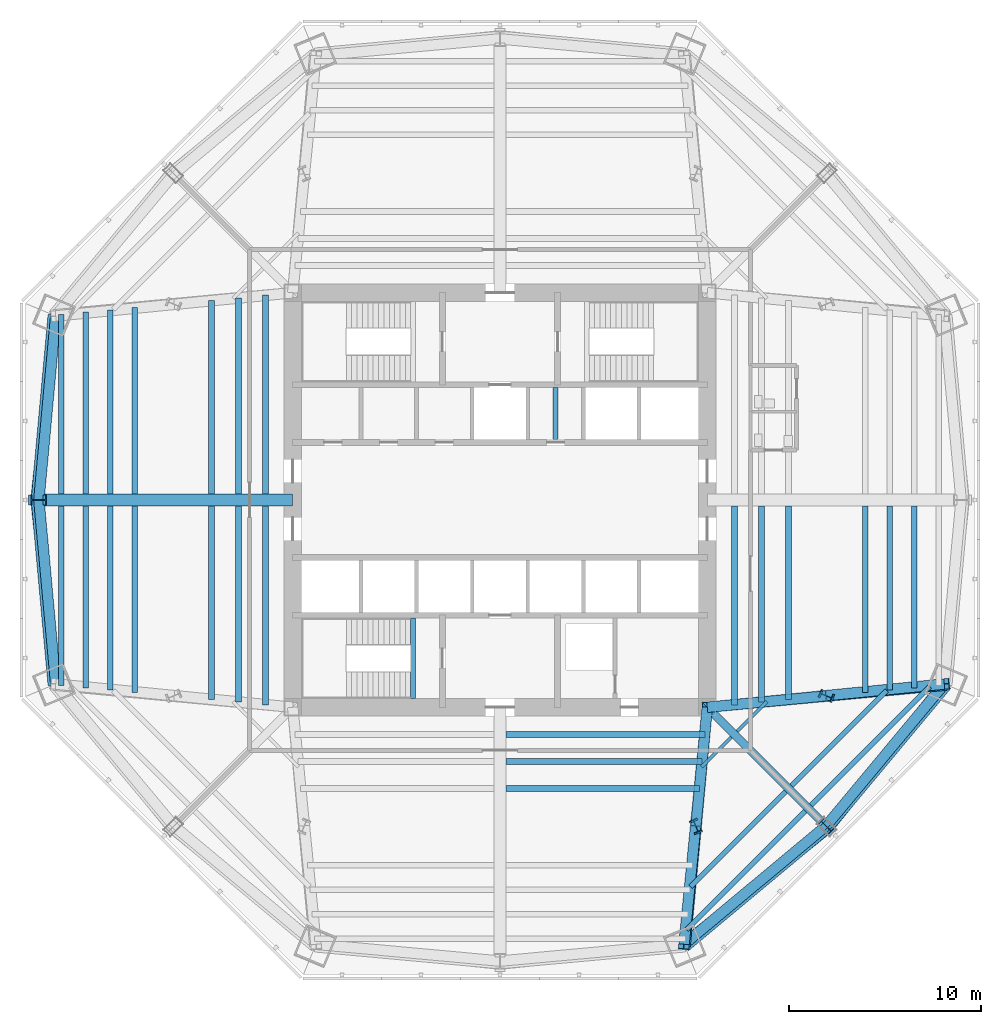
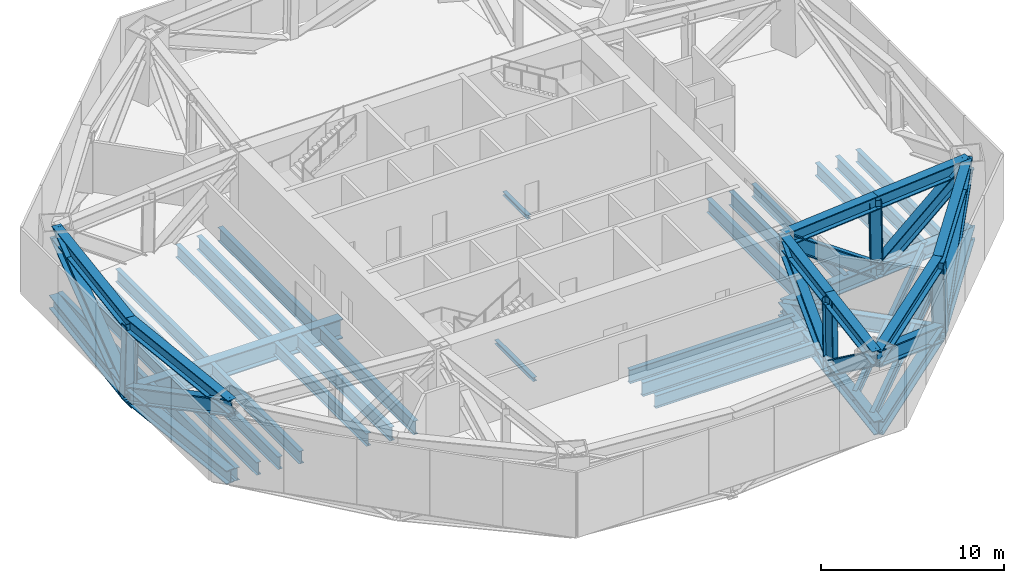
# One storey, part 2 of 10: 33 beams, 28 members.
"""IFC4 building model written with IfcOpenShell, lengths in metres."""

from ifc_helpers import new_model, si_unit, direction, frame, origin, origin_2d, place, context, subcontext, project, spatial, i_section, extrude, source, transform, mapped, material, material_profile, profile_set, type_object, type_shapes, element, save


model = new_model("IFC4")

# Units and contexts
model_context = context("Model", 3, precision=1e-05, world=origin(), true_north=direction((0.0, 1.0)))
body_context = subcontext(model_context, "Body", "Model", "MODEL_VIEW")
ifc_project = project(units=[si_unit("LENGTHUNIT", "METRE"), si_unit("AREAUNIT", "SQUARE_METRE"), si_unit("VOLUMEUNIT", "CUBIC_METRE"), si_unit("PLANEANGLEUNIT", "RADIAN"), si_unit("MASSUNIT", "GRAM", prefix="KILO")], contexts=[model_context])

# Site, building, storey
site_placement = place(None, origin())
site = spatial("IfcSite", under=ifc_project, at=site_placement, CompositionType="ELEMENT")
building_placement = place(site_placement, origin())
building = spatial("IfcBuilding", under=site, at=building_placement, Name="Mashrafa Tower", CompositionType="ELEMENT")
storey_placement = place(building_placement, frame((0.0, 0.0, 108.89990234375)))
storey = spatial("IfcBuildingStorey", under=building, at=storey_placement, Name="L24", CompositionType="ELEMENT", Elevation=108.89990234375)

# Beams
ifc_material_1 = material(Name="Steel ASTM A572 Gr 50", Category="steel")
ifc_material_profile_1 = material_profile(ifc_material_1, i_section(OverallWidth=0.60009765625, OverallDepth=1.300048828125, WebThickness=0.028076171875, FlangeThickness=0.06494140625, at=origin_2d()), Name="H1300X600X28X65")
ifc_profile_set_1 = profile_set([ifc_material_profile_1], Name="Steel ASTM A572 Gr 50")
beam_type_1 = type_object("IfcBeamType", Name="Beam H1300X600X28X65", PredefinedType="BEAM", material=ifc_profile_set_1)
beam_1_placement = place(storey_placement, frame((-10.800048828125, 0.0, -0.89990234375), z_axis=(-1.0, 0.0, 0.0), x_axis=(0.0, -1.0, 0.0)))
element("IfcBeam", 1, at=beam_1_placement, inside=storey, type_object=beam_type_1, Name="Radial girder L24 082", PredefinedType="BEAM", context=body_context, shape_type="SweptSolid", body=[
    extrude(i_section(OverallWidth=0.60009765625, OverallDepth=1.300048828125, WebThickness=0.028076171875, FlangeThickness=0.06494140625, at=origin_2d()), origin(), (0.0, 0.0, 1.0), 13.341064453125),
])
ifc_material_2 = material(Name="Steel ASTM A992", Category="steel")
ifc_material_profile_2 = material_profile(ifc_material_2, i_section(OverallWidth=0.164794921875, OverallDepth=0.309814453125, WebThickness=0.005859375, FlangeThickness=0.009765625, FilletRadius=0.007568359375, at=origin_2d()), Name="W12X26")
ifc_profile_set_2 = profile_set([ifc_material_profile_2], Name="Steel ASTM A992")
beam_type_2 = type_object("IfcBeamType", Name="Beam W12X26", PredefinedType="BEAM", material=ifc_profile_set_2)
for number, where, z_axis, x_axis, name in (
    (2, (12.065673828125, -12.35498046875, -0.40478515625), (-0.707051315306, -0.707162242717, 0.0), (0.707162242717, -0.707051315306, 0.0), "Floor beam L24 058"),
    (3, (13.911376953125, -10.509521484375, -0.40478515625), (-0.707162242717, -0.707051315306, 0.0), (0.707051315306, -0.707162242717, 0.0), "Floor beam L24 064"),
):
    element("IfcBeam", number, at=place(storey_placement, frame(where, z_axis=z_axis, x_axis=x_axis)), inside=storey, type_object=beam_type_2, Name=name, PredefinedType="BEAM", context=body_context, shape_type="SweptSolid", body=[
        extrude(i_section(OverallWidth=0.164794921875, OverallDepth=0.309814453125, WebThickness=0.005859375, FlangeThickness=0.009765625, FilletRadius=0.007568359375, at=origin_2d()), origin(), (0.0, 0.0, 1.0), 2.200927734375),
    ])
ifc_material_3 = material(Name="Steel ASTM A992", Category="steel")
ifc_material_profile_3 = material_profile(ifc_material_3, i_section(OverallWidth=0.25390625, OverallDepth=0.67822265625, WebThickness=0.01171875, FlangeThickness=0.016357421875, FilletRadius=0.01513671875, at=origin_2d()), Name="W27X84")
ifc_profile_set_3 = profile_set([ifc_material_profile_3], Name="Steel ASTM A992")
beam_type_3 = type_object("IfcBeamType", Name="Beam W27X84", PredefinedType="BEAM", material=ifc_profile_set_3)
for number, where, z_axis, x_axis, name in (
    (4, (14.89404296875, -15.183349609375, -0.589111328125), (-0.707106781187, -0.707106781187, 0.0), (0.707106781187, -0.707106781187, 0.0), "Floor beam L24 067"),
    (5, (20.15087890625, -9.926513671875, -0.589111328125), (-0.707106781187, -0.707106781187, 0.0), (0.707106781187, -0.707106781187, 0.0), "Floor beam L24 073"),
):
    element("IfcBeam", number, at=place(storey_placement, frame(where, z_axis=z_axis, x_axis=x_axis)), inside=storey, type_object=beam_type_3, Name=name, PredefinedType="BEAM", context=body_context, shape_type="SweptSolid", body=[
        extrude(i_section(OverallWidth=0.25390625, OverallDepth=0.67822265625, WebThickness=0.01171875, FlangeThickness=0.016357421875, FilletRadius=0.01513671875, at=origin_2d()), origin(), (0.0, 0.0, 1.0), 7.025146484375),
    ])
ifc_material_4 = material(Name="Steel ASTM A992", Category="steel")
ifc_material_profile_4 = material_profile(ifc_material_4, i_section(OverallWidth=0.2666015625, OverallDepth=0.761962890625, WebThickness=0.014404296875, FlangeThickness=0.021484375, FilletRadius=0.0166015625, at=origin_2d()), Name="W30X116")
ifc_profile_set_4 = profile_set([ifc_material_profile_4], Name="Steel ASTM A992")
beam_type_4 = type_object("IfcBeamType", Name="Beam W30X116", PredefinedType="BEAM", material=ifc_profile_set_4)
for number, where, z_axis, x_axis, name in (
    (6, (15.909912109375, -16.19921875, -0.630859375), (-0.707092842692, -0.707120719406, 0.0), (0.707120719406, -0.707092842692, 0.0), "Floor beam L24 069"),
    (7, (22.39208984375, -9.71728515625, -0.630859375), (-0.707120719406, -0.707092842692, 0.0), (0.707092842692, -0.707120719406, 0.0), "Floor beam L24 078"),
):
    element("IfcBeam", number, at=place(storey_placement, frame(where, z_axis=z_axis, x_axis=x_axis)), inside=storey, type_object=beam_type_4, Name=name, PredefinedType="BEAM", context=body_context, shape_type="SweptSolid", body=[
        extrude(i_section(OverallWidth=0.2666015625, OverallDepth=0.761962890625, WebThickness=0.014404296875, FlangeThickness=0.021484375, FilletRadius=0.0166015625, at=origin_2d()), origin(), (0.0, 0.0, 1.0), 8.7578125),
    ])
ifc_material_5 = material(Name="Steel ASTM A992", Category="steel")
ifc_material_profile_5 = material_profile(ifc_material_5, i_section(OverallWidth=0.2919921875, OverallDepth=0.8408203125, WebThickness=0.0146484375, FlangeThickness=0.021728515625, FilletRadius=0.017333984375, at=origin_2d()), Name="W33X130")
ifc_profile_set_5 = profile_set([ifc_material_profile_5], Name="Steel ASTM A992")
beam_type_5 = type_object("IfcBeamType", Name="Beam W33X130", PredefinedType="BEAM", material=ifc_profile_set_5)
for number, where, z_axis, x_axis, name in (
    (8, (-22.863525390625, -9.673095703125, -0.670166015625), (0.0, 1.0, 0.0), (-1.0, 0.0, 0.0), "Floor beam L24 001"),
    (9, (-22.863525390625, 0.300048828125, -0.670166015625), (0.0, 1.0, 0.0), (-1.0, 0.0, 0.0), "Floor beam L24 002"),
):
    element("IfcBeam", number, at=place(storey_placement, frame(where, z_axis=z_axis, x_axis=x_axis)), inside=storey, type_object=beam_type_5, Name=name, PredefinedType="BEAM", context=body_context, shape_type="SweptSolid", body=[
        extrude(i_section(OverallWidth=0.2919921875, OverallDepth=0.8408203125, WebThickness=0.0146484375, FlangeThickness=0.021728515625, FilletRadius=0.017333984375, at=origin_2d()), origin(), (0.0, 0.0, 1.0), 9.373046875),
    ])
for number, where, z_axis, x_axis, name in (
    (10, (-21.586181640625, -9.79248046875, -0.670166015625), (0.0, 1.0, 0.0), (-1.0, 0.0, 0.0), "Floor beam L24 004"),
    (11, (-21.586181640625, 0.300048828125, -0.670166015625), (0.0, 1.0, 0.0), (-1.0, 0.0, 0.0), "Floor beam L24 005"),
):
    element("IfcBeam", number, at=place(storey_placement, frame(where, z_axis=z_axis, x_axis=x_axis)), inside=storey, type_object=beam_type_5, Name=name, PredefinedType="BEAM", context=body_context, shape_type="SweptSolid", body=[
        extrude(i_section(OverallWidth=0.2919921875, OverallDepth=0.8408203125, WebThickness=0.0146484375, FlangeThickness=0.021728515625, FilletRadius=0.017333984375, at=origin_2d()), origin(), (0.0, 0.0, 1.0), 9.492431640625),
    ])
for number, where, z_axis, x_axis, name in (
    (12, (-20.30859375, -9.911865234375, -0.670166015625), (0.0, 1.0, 0.0), (-1.0, 0.0, 0.0), "Floor beam L24 006"),
    (13, (-20.30859375, 0.300048828125, -0.670166015625), (0.0, 1.0, 0.0), (-1.0, 0.0, 0.0), "Floor beam L24 007"),
    (14, (20.30859375, -0.300048828125, -0.670166015625), (0.0, -1.0, 0.0), (1.0, 0.0, 0.0), "Floor beam L24 074"),
):
    element("IfcBeam", number, at=place(storey_placement, frame(where, z_axis=z_axis, x_axis=x_axis)), inside=storey, type_object=beam_type_5, Name=name, PredefinedType="BEAM", context=body_context, shape_type="SweptSolid", body=[
        extrude(i_section(OverallWidth=0.2919921875, OverallDepth=0.8408203125, WebThickness=0.0146484375, FlangeThickness=0.021728515625, FilletRadius=0.017333984375, at=origin_2d()), origin(), (0.0, 0.0, 1.0), 9.61181640625),
    ])
beam_2_placement = place(storey_placement, frame((21.586181640625, -0.300048828125, -0.670166015625), z_axis=(0.0, -1.0, 0.0), x_axis=(1.0, 0.0, 0.0)))
element("IfcBeam", 15, at=beam_2_placement, inside=storey, type_object=beam_type_5, Name="Floor beam L24 076", PredefinedType="BEAM", context=body_context, shape_type="SweptSolid", body=[
    extrude(i_section(OverallWidth=0.2919921875, OverallDepth=0.8408203125, WebThickness=0.0146484375, FlangeThickness=0.021728515625, FilletRadius=0.017333984375, at=origin_2d()), origin(), (0.0, 0.0, 1.0), 9.492431640625),
])
ifc_material_6 = material(Name="Steel ASTM A992", Category="steel")
ifc_material_profile_6 = material_profile(ifc_material_6, i_section(OverallWidth=0.2919921875, OverallDepth=0.845703125, WebThickness=0.015380859375, FlangeThickness=0.0244140625, FilletRadius=0.017333984375, at=origin_2d()), Name="W33X141")
ifc_profile_set_6 = profile_set([ifc_material_profile_6], Name="Steel ASTM A992")
beam_type_6 = type_object("IfcBeamType", Name="Beam W33X141", PredefinedType="BEAM", material=ifc_profile_set_6)
for number, where, z_axis, x_axis, name in (
    (16, (-19.031005859375, -10.031005859375, -0.6728515625), (0.0, 1.0, 0.0), (-1.0, 0.0, 0.0), "Floor beam L24 009"),
    (17, (-19.031005859375, 0.300048828125, -0.6728515625), (0.0, 1.0, 0.0), (-1.0, 0.0, 0.0), "Floor beam L24 010"),
):
    element("IfcBeam", number, at=place(storey_placement, frame(where, z_axis=z_axis, x_axis=x_axis)), inside=storey, type_object=beam_type_6, Name=name, PredefinedType="BEAM", context=body_context, shape_type="SweptSolid", body=[
        extrude(i_section(OverallWidth=0.2919921875, OverallDepth=0.845703125, WebThickness=0.015380859375, FlangeThickness=0.0244140625, FilletRadius=0.017333984375, at=origin_2d()), origin(), (0.0, 0.0, 1.0), 9.73095703125),
    ])
for number, where, z_axis, x_axis, name in (
    (18, (-15.031005859375, -10.40478515625, -0.6728515625), (0.0, 1.0, 0.0), (-1.0, 0.0, 0.0), "Floor beam L24 015"),
    (19, (-15.031005859375, 0.300048828125, -0.6728515625), (0.0, 1.0, 0.0), (-1.0, 0.0, 0.0), "Floor beam L24 016"),
    (20, (10.40478515625, -15.031005859375, -0.6728515625), (-1.0, 0.0, 0.0), (0.0, -1.0, 0.0), "Floor beam L24 054"),
    (21, (15.031005859375, -0.300048828125, -0.6728515625), (0.0, -1.0, 0.0), (1.0, 0.0, 0.0), "Floor beam L24 065"),
):
    element("IfcBeam", number, at=place(storey_placement, frame(where, z_axis=z_axis, x_axis=x_axis)), inside=storey, type_object=beam_type_6, Name=name, PredefinedType="BEAM", context=body_context, shape_type="SweptSolid", body=[
        extrude(i_section(OverallWidth=0.2919921875, OverallDepth=0.845703125, WebThickness=0.015380859375, FlangeThickness=0.0244140625, FilletRadius=0.017333984375, at=origin_2d()), origin(), (0.0, 0.0, 1.0), 10.104736328125),
    ])
beam_3_placement = place(storey_placement, frame((19.031005859375, -0.300048828125, -0.6728515625), z_axis=(0.0, -1.0, 0.0), x_axis=(1.0, 0.0, 0.0)))
element("IfcBeam", 22, at=beam_3_placement, inside=storey, type_object=beam_type_6, Name="Floor beam L24 071", PredefinedType="BEAM", context=body_context, shape_type="SweptSolid", body=[
    extrude(i_section(OverallWidth=0.2919921875, OverallDepth=0.845703125, WebThickness=0.015380859375, FlangeThickness=0.0244140625, FilletRadius=0.017333984375, at=origin_2d()), origin(), (0.0, 0.0, 1.0), 9.73095703125),
])
ifc_material_7 = material(Name="Steel ASTM A992", Category="steel")
ifc_material_profile_7 = material_profile(ifc_material_7, i_section(OverallWidth=0.3046875, OverallDepth=0.911865234375, WebThickness=0.015869140625, FlangeThickness=0.02392578125, FilletRadius=0.01904296875, at=origin_2d()), Name="W36X150")
ifc_profile_set_7 = profile_set([ifc_material_profile_7], Name="Steel ASTM A992")
beam_type_7 = type_object("IfcBeamType", Name="Beam W36X150", PredefinedType="BEAM", material=ifc_profile_set_7)
for number, where, z_axis, x_axis, name in (
    (23, (-13.62060546875, -10.53662109375, -0.705810546875), (0.0, 1.0, 0.0), (-1.0, 0.0, 0.0), "Floor beam L24 018"),
    (24, (-13.62060546875, 0.300048828125, -0.705810546875), (0.0, 1.0, 0.0), (-1.0, 0.0, 0.0), "Floor beam L24 019"),
):
    element("IfcBeam", number, at=place(storey_placement, frame(where, z_axis=z_axis, x_axis=x_axis)), inside=storey, type_object=beam_type_7, Name=name, PredefinedType="BEAM", context=body_context, shape_type="SweptSolid", body=[
        extrude(i_section(OverallWidth=0.3046875, OverallDepth=0.911865234375, WebThickness=0.015869140625, FlangeThickness=0.02392578125, FilletRadius=0.01904296875, at=origin_2d()), origin(), (0.0, 0.0, 1.0), 10.236572265625),
    ])
for number, where, z_axis, x_axis, name in (
    (25, (-12.210205078125, -10.668212890625, -0.705810546875), (0.0, 1.0, 0.0), (-1.0, 0.0, 0.0), "Floor beam L24 021"),
    (26, (-12.210205078125, 0.300048828125, -0.705810546875), (0.0, 1.0, 0.0), (-1.0, 0.0, 0.0), "Floor beam L24 022"),
):
    element("IfcBeam", number, at=place(storey_placement, frame(where, z_axis=z_axis, x_axis=x_axis)), inside=storey, type_object=beam_type_7, Name=name, PredefinedType="BEAM", context=body_context, shape_type="SweptSolid", body=[
        extrude(i_section(OverallWidth=0.3046875, OverallDepth=0.911865234375, WebThickness=0.015869140625, FlangeThickness=0.02392578125, FilletRadius=0.01904296875, at=origin_2d()), origin(), (0.0, 0.0, 1.0), 10.3681640625),
    ])
beam_4_placement = place(storey_placement, frame((10.53662109375, -13.62060546875, -0.705810546875), z_axis=(-1.0, 0.0, 0.0), x_axis=(0.0, -1.0, 0.0)))
element("IfcBeam", 27, at=beam_4_placement, inside=storey, type_object=beam_type_7, Name="Floor beam L24 056", PredefinedType="BEAM", context=body_context, shape_type="SweptSolid", body=[
    extrude(i_section(OverallWidth=0.3046875, OverallDepth=0.911865234375, WebThickness=0.015869140625, FlangeThickness=0.02392578125, FilletRadius=0.01904296875, at=origin_2d()), origin(), (0.0, 0.0, 1.0), 10.236572265625),
])
for number, where, z_axis, x_axis, name in (
    (28, (10.668212890625, -12.210205078125, -0.705810546875), (-1.0, 0.0, 0.0), (0.0, -1.0, 0.0), "Floor beam L24 057"),
    (29, (12.210205078125, -0.300048828125, -0.705810546875), (0.0, -1.0, 0.0), (1.0, 0.0, 0.0), "Floor beam L24 059"),
):
    element("IfcBeam", number, at=place(storey_placement, frame(where, z_axis=z_axis, x_axis=x_axis)), inside=storey, type_object=beam_type_7, Name=name, PredefinedType="BEAM", context=body_context, shape_type="SweptSolid", body=[
        extrude(i_section(OverallWidth=0.3046875, OverallDepth=0.911865234375, WebThickness=0.015869140625, FlangeThickness=0.02392578125, FilletRadius=0.01904296875, at=origin_2d()), origin(), (0.0, 0.0, 1.0), 10.3681640625),
    ])
beam_5_placement = place(storey_placement, frame((13.62060546875, -0.300048828125, -0.705810546875), z_axis=(0.0, -1.0, 0.0), x_axis=(1.0, 0.0, 0.0)))
element("IfcBeam", 30, at=beam_5_placement, inside=storey, type_object=beam_type_7, Name="Floor beam L24 062", PredefinedType="BEAM", context=body_context, shape_type="SweptSolid", body=[
    extrude(i_section(OverallWidth=0.3046875, OverallDepth=0.911865234375, WebThickness=0.015869140625, FlangeThickness=0.02392578125, FilletRadius=0.01904296875, at=origin_2d()), origin(), (0.0, 0.0, 1.0), 10.236572265625),
])
ifc_material_8 = material(Name="Steel ASTM A992", Category="steel")
ifc_material_profile_8 = material_profile(ifc_material_8, i_section(OverallWidth=0.408935546875, OverallDepth=1.04150390625, WebThickness=0.031005859375, FlangeThickness=0.055908203125, FilletRadius=0.020263671875, at=origin_2d()), Name="W40X397")
ifc_profile_set_8 = profile_set([ifc_material_profile_8], Name="Steel ASTM A992")
beam_type_8 = type_object("IfcBeamType", Name="Beam W40X397", PredefinedType="BEAM", material=ifc_profile_set_8)
beam_6_placement = place(storey_placement, frame((10.800048828125, -10.800048828125, -0.7705078125), z_axis=(0.707106781187, -0.707106781187, 0.0), x_axis=(0.707106781187, 0.707106781187, 0.0)))
element("IfcBeam", 31, at=beam_6_placement, inside=storey, type_object=beam_type_8, Name="Radial girder L24 086", PredefinedType="BEAM", context=body_context, shape_type="SweptSolid", body=[
    extrude(i_section(OverallWidth=0.408935546875, OverallDepth=1.04150390625, WebThickness=0.031005859375, FlangeThickness=0.055908203125, FilletRadius=0.020263671875, at=origin_2d()), origin(), (0.0, 0.0, 1.0), 8.867431640625),
])
ifc_material_9 = material(Name="Steel ASTM A992", Category="steel")
ifc_material_profile_9 = material_profile(ifc_material_9, i_section(OverallWidth=0.25390625, OverallDepth=0.25390625, WebThickness=0.008544921875, FlangeThickness=0.01416015625, FilletRadius=0.010009765625, at=origin_2d()), Name="W10X49")
ifc_profile_set_9 = profile_set([ifc_material_profile_9], Name="Steel ASTM A992")
beam_type_9 = type_object("IfcBeamType", Name="Hoistway beam W10X49", PredefinedType="BEAM", material=ifc_profile_set_9)
beam_7_placement = place(storey_placement, frame((2.89990234375, 3.14990234375, -0.376953125), z_axis=(0.0, 1.0, 0.0), x_axis=(-1.0, 0.0, 0.0)))
element("IfcBeam", 32, at=beam_7_placement, inside=storey, type_object=beam_type_9, Name="Hoistway beam L24 06", PredefinedType="BEAM", context=body_context, shape_type="SweptSolid", body=[
    extrude(i_section(OverallWidth=0.25390625, OverallDepth=0.25390625, WebThickness=0.008544921875, FlangeThickness=0.01416015625, FilletRadius=0.010009765625, at=origin_2d()), origin(), (0.0, 0.0, 1.0), 2.7001953125),
])
beam_8_placement = place(storey_placement, frame((-4.530029296875, -10.35009765625, -0.376953125), z_axis=(0.0, 1.0, 0.0), x_axis=(-1.0, 0.0, 0.0)))
element("IfcBeam", 33, at=beam_8_placement, inside=storey, type_object=beam_type_9, Name="Stair S3 landing beam L24", PredefinedType="BEAM", context=body_context, shape_type="SweptSolid", body=[
    extrude(i_section(OverallWidth=0.25390625, OverallDepth=0.25390625, WebThickness=0.008544921875, FlangeThickness=0.01416015625, FilletRadius=0.010009765625, at=origin_2d()), origin(), (0.0, 0.0, 1.0), 4.2001953125),
])

# Members
ifc_material_10 = material(Name="Steel ASTM A572 Gr 50", Category="steel")
ifc_material_profile_10 = material_profile(ifc_material_10, i_section(OverallWidth=0.550048828125, OverallDepth=0.89990234375, WebThickness=0.034912109375, FlangeThickness=0.06005859375, at=origin_2d()), Name="H900X550X35X60")
ifc_profile_set_10 = profile_set([ifc_material_profile_10], Name="Steel ASTM A572 Gr 50")
member_type_1 = type_object("IfcMemberType", Name="Belt truss chord H900X550X35X60", PredefinedType="CHORD", material=ifc_profile_set_10)
shared_shape_1 = source(origin(), body_context, "Body", "SweptSolid", [
    extrude(i_section(OverallWidth=0.550048828125, OverallDepth=0.89990234375, WebThickness=0.034912109375, FlangeThickness=0.06005859375, at=origin_2d()), origin(), (0.0, 0.0, 1.0), 9.680908203125),
])
for number, where, z_axis, x_axis, name in (
    (34, (-23.275634765625, 9.64111328125, -0.699951171875), (-0.090710826953, -0.995877274504, 0.0), (0.995877274504, -0.090710826953, 0.0), "Belt truss bottom chord west face L24 right"),
    (35, (-23.275634765625, -9.64111328125, -0.699951171875), (-0.090710826953, 0.995877274504, 0.0), (-0.995877274504, -0.090710826953, 0.0), "Belt truss bottom chord west face L24 left"),
    (36, (9.64111328125, -23.275634765625, -0.699951171875), (0.768334957874, 0.6400479611, 0.0), (-0.6400479611, 0.768334957874, 0.0), "Belt truss bottom chord south-east face L24 right"),
    (37, (23.275634765625, -9.64111328125, -0.699951171875), (-0.6400479611, -0.768334957874, 0.0), (0.768334957874, -0.6400479611, 0.0), "Belt truss bottom chord south-east face L24 left"),
):
    element("IfcMember", number, at=place(storey_placement, frame(where, z_axis=z_axis, x_axis=x_axis)), inside=storey, type_object=member_type_1, Name=name, PredefinedType="CHORD", context=body_context, shape_type="MappedRepresentation", body=[
        mapped(shared_shape_1, transform((0.0, 0.0, 0.0))),
    ])
shared_shape_2 = source(origin(), body_context, "Body", "SweptSolid", [
    extrude(i_section(OverallWidth=0.550048828125, OverallDepth=0.89990234375, WebThickness=0.034912109375, FlangeThickness=0.06005859375, at=origin_2d()), origin(), (0.0, 0.0, 1.0), 9.62744140625),
])
type_shapes(member_type_1, [shared_shape_1, shared_shape_2])
for number, where, z_axis, x_axis, name in (
    (38, (-23.14599609375, 9.58740234375, 3.885009765625), (-0.091214794378, -0.995831241369, 0.0), (0.995831241369, -0.091214794378, 0.0), "Belt truss top chord west face L24 right"),
    (39, (-23.14599609375, -9.58740234375, 3.885009765625), (-0.091214794378, 0.995831241369, 0.0), (-0.995831241369, -0.091214794378, 0.0), "Belt truss top chord west face L24 left"),
    (40, (9.58740234375, -23.14599609375, 3.885009765625), (0.768647218542, 0.639672926915, 0.0), (-0.639672926915, 0.768647218542, 0.0), "Belt truss top chord south-east face L24 right"),
    (41, (23.14599609375, -9.58740234375, 3.885009765625), (-0.639672926915, -0.768647218542, 0.0), (0.768647218542, -0.639672926915, 0.0), "Belt truss top chord south-east face L24 left"),
):
    element("IfcMember", number, at=place(storey_placement, frame(where, z_axis=z_axis, x_axis=x_axis)), inside=storey, type_object=member_type_1, Name=name, PredefinedType="CHORD", context=body_context, shape_type="MappedRepresentation", body=[
        mapped(shared_shape_2, transform((0.0, 0.0, 0.0))),
    ])
ifc_material_11 = material(Name="Steel ASTM A572 Gr 50", Category="steel")
ifc_material_profile_11 = material_profile(ifc_material_11, i_section(OverallWidth=0.5, OverallDepth=0.800048828125, WebThickness=0.031982421875, FlangeThickness=0.050048828125, at=origin_2d()), Name="H800X500X32X50")
ifc_profile_set_11 = profile_set([ifc_material_profile_11], Name="Steel ASTM A572 Gr 50")
member_type_2 = type_object("IfcMemberType", Name="Belt truss post H800X500X32X50", PredefinedType="POST", material=ifc_profile_set_11)
shared_shape_3 = source(origin(), body_context, "Body", "SweptSolid", [
    extrude(i_section(OverallWidth=0.5, OverallDepth=0.800048828125, WebThickness=0.031982421875, FlangeThickness=0.050048828125, at=origin_2d()), origin(), (0.0, 0.0, 1.0), 4.5869140625),
])
type_shapes(member_type_2, [shared_shape_3])
for number, where, z_axis, x_axis, name in (
    (42, (-24.15380859375, 0.0, -0.699951171875), (0.028263464856, 0.0, 0.99960050848), (0.0, 1.0, 0.0), "Belt truss post west face L24"),
    (43, (17.079345703125, -17.079345703125, -0.699951171875), (-0.020013278491, 0.020013278491, 0.999599388439), (-0.707106781187, -0.707106781187, 0.0), "Belt truss post south-east face L24"),
):
    element("IfcMember", number, at=place(storey_placement, frame(where, z_axis=z_axis, x_axis=x_axis)), inside=storey, type_object=member_type_2, Name=name, PredefinedType="POST", context=body_context, shape_type="MappedRepresentation", body=[
        mapped(shared_shape_3, transform((0.0, 0.0, 0.0))),
    ])
ifc_material_12 = material(Name="Steel ASTM A572 Gr 50", Category="steel")
ifc_material_profile_12 = material_profile(ifc_material_12, i_section(OverallWidth=0.60009765625, OverallDepth=1.0, WebThickness=0.0400390625, FlangeThickness=0.070068359375, at=origin_2d()), Name="H1000X600X40X70")
ifc_profile_set_12 = profile_set([ifc_material_profile_12], Name="Steel ASTM A572 Gr 50")
member_type_3 = type_object("IfcMemberType", Name="Belt truss diagonal H1000X600X40X70", PredefinedType="BRACE", material=ifc_profile_set_12)
shared_shape_4 = source(origin(), body_context, "Body", "SweptSolid", [
    extrude(i_section(OverallWidth=0.60009765625, OverallDepth=1.0, WebThickness=0.0400390625, FlangeThickness=0.070068359375, at=origin_2d()), origin(), (0.0, 0.0, 1.0), 10.675048828125),
])
type_shapes(member_type_3, [shared_shape_4])
for number, where, z_axis, x_axis, name in (
    (44, (-24.15380859375, 0.0, -0.699951171875), (0.094408577481, 0.898116481993, 0.429504138829), (-0.994520429695, 0.104542407277, 0.0), "Belt truss diagonal west face L24 right"),
    (45, (-24.15380859375, 0.0, -0.699951171875), (0.094408577481, -0.898116481993, 0.429504138829), (0.994520429695, 0.104542407277, 0.0), "Belt truss diagonal west face L24 left"),
    (46, (17.079345703125, -17.079345703125, -0.699951171875), (-0.701822303286, -0.568305224178, 0.429505095177), (0.629307502701, -0.777156398059, 0.0), "Belt truss diagonal south-east face L24 right"),
    (47, (17.079345703125, -17.079345703125, -0.699951171875), (0.568305224178, 0.701822303286, 0.429505095177), (-0.777156398059, 0.629307502701, 0.0), "Belt truss diagonal south-east face L24 left"),
):
    element("IfcMember", number, at=place(storey_placement, frame(where, z_axis=z_axis, x_axis=x_axis)), inside=storey, type_object=member_type_3, Name=name, PredefinedType="BRACE", context=body_context, shape_type="MappedRepresentation", body=[
        mapped(shared_shape_4, transform((0.0, 0.0, 0.0))),
    ])
ifc_material_13 = material(Name="Steel ASTM A572 Gr 50", Category="steel")
ifc_material_profile_13 = material_profile(ifc_material_13, i_section(OverallWidth=0.550048828125, OverallDepth=0.89990234375, WebThickness=0.034912109375, FlangeThickness=0.06005859375, at=origin_2d()), Name="H900X550X35X60")
ifc_profile_set_13 = profile_set([ifc_material_profile_13], Name="Steel ASTM A572 Gr 50")
member_type_4 = type_object("IfcMemberType", Name="Outrigger chord H900X550X35X60", PredefinedType="CHORD", material=ifc_profile_set_13)
shared_shape_5 = source(origin(), body_context, "Body", "SweptSolid", [
    extrude(i_section(OverallWidth=0.550048828125, OverallDepth=0.89990234375, WebThickness=0.034912109375, FlangeThickness=0.06005859375, at=origin_2d()), origin(), (0.0, 0.0, 1.0), 6.2646484375),
])
for number, where, z_axis, x_axis, name in (
    (48, (10.800048828125, -10.800048828125, -0.699951171875), (-0.092517341994, -0.995711073269, 0.0), (0.995711073269, -0.092517341994, 0.0), "Outrigger bottom chord MC7 L24 core end"),
    (49, (10.220458984375, -17.037841796875, -0.699951171875), (-0.092478704277, -0.995714662569, 0.0), (0.995714662569, -0.092478704277, 0.0), "Outrigger bottom chord MC7 L24 column end"),
    (50, (10.800048828125, -10.800048828125, -0.699951171875), (0.995711073269, 0.092517341994, 0.0), (-0.092517341994, 0.995711073269, 0.0), "Outrigger bottom chord MC8 L24 core end"),
    (51, (17.037841796875, -10.220458984375, -0.699951171875), (0.995714662569, 0.092478704277, 0.0), (-0.092478704277, 0.995714662569, 0.0), "Outrigger bottom chord MC8 L24 column end"),
):
    element("IfcMember", number, at=place(storey_placement, frame(where, z_axis=z_axis, x_axis=x_axis)), inside=storey, type_object=member_type_4, Name=name, PredefinedType="CHORD", context=body_context, shape_type="MappedRepresentation", body=[
        mapped(shared_shape_5, transform((0.0, 0.0, 0.0))),
    ])
shared_shape_6 = source(origin(), body_context, "Body", "SweptSolid", [
    extrude(i_section(OverallWidth=0.550048828125, OverallDepth=0.89990234375, WebThickness=0.034912109375, FlangeThickness=0.06005859375, at=origin_2d()), origin(), (0.0, 0.0, 1.0), 6.20263671875),
])
for number, where, z_axis, x_axis, name in (
    (52, (10.800048828125, -10.800048828125, 3.885009765625), (-0.09777323439, -0.995208719132, 0.0), (0.995208719132, -0.09777323439, 0.0), "Outrigger top chord MC7 L24 core end"),
    (53, (10.800048828125, -10.800048828125, 3.885009765625), (0.995208719132, 0.09777323439, 0.0), (-0.09777323439, 0.995208719132, 0.0), "Outrigger top chord MC8 L24 core end"),
):
    element("IfcMember", number, at=place(storey_placement, frame(where, z_axis=z_axis, x_axis=x_axis)), inside=storey, type_object=member_type_4, Name=name, PredefinedType="CHORD", context=body_context, shape_type="MappedRepresentation", body=[
        mapped(shared_shape_6, transform((0.0, 0.0, 0.0))),
    ])
shared_shape_7 = source(origin(), body_context, "Body", "SweptSolid", [
    extrude(i_section(OverallWidth=0.550048828125, OverallDepth=0.89990234375, WebThickness=0.034912109375, FlangeThickness=0.06005859375, at=origin_2d()), origin(), (0.0, 0.0, 1.0), 6.202880859375),
])
type_shapes(member_type_4, [shared_shape_5, shared_shape_6, shared_shape_7])
for number, where, z_axis, x_axis, name in (
    (54, (10.193603515625, -16.972900390625, 3.885009765625), (-0.097730420851, -0.995212924374, 0.0), (0.995212924374, -0.097730420851, 0.0), "Outrigger top chord MC7 L24 column end"),
    (55, (16.972900390625, -10.193603515625, 3.885009765625), (0.995212924374, 0.097730420851, 0.0), (-0.097730420851, 0.995212924374, 0.0), "Outrigger top chord MC8 L24 column end"),
):
    element("IfcMember", number, at=place(storey_placement, frame(where, z_axis=z_axis, x_axis=x_axis)), inside=storey, type_object=member_type_4, Name=name, PredefinedType="CHORD", context=body_context, shape_type="MappedRepresentation", body=[
        mapped(shared_shape_7, transform((0.0, 0.0, 0.0))),
    ])
ifc_material_14 = material(Name="Steel ASTM A572 Gr 50", Category="steel")
ifc_material_profile_14 = material_profile(ifc_material_14, i_section(OverallWidth=0.449951171875, OverallDepth=0.699951171875, WebThickness=0.028076171875, FlangeThickness=0.044921875, at=origin_2d()), Name="H700X450X28X45")
ifc_profile_set_14 = profile_set([ifc_material_profile_14], Name="Steel ASTM A572 Gr 50")
member_type_5 = type_object("IfcMemberType", Name="Outrigger post H700X450X28X45", PredefinedType="POST", material=ifc_profile_set_14)
shared_shape_8 = source(origin(), body_context, "Body", "SweptSolid", [
    extrude(i_section(OverallWidth=0.449951171875, OverallDepth=0.699951171875, WebThickness=0.028076171875, FlangeThickness=0.044921875, at=origin_2d()), origin(), (0.0, 0.0, 1.0), 4.58544921875),
])
type_shapes(member_type_5, [shared_shape_8])
for number, where, z_axis, x_axis, name in (
    (56, (10.220458984375, -17.037841796875, -0.699951171875), (-0.005856607098, 0.0141623408, 0.999882557232), (-0.924101457062, -0.382147219086, 0.0), "Outrigger post MC7 L24"),
    (57, (17.037841796875, -10.220458984375, -0.699951171875), (-0.0141623408, 0.005856607098, 0.999882557232), (-0.382147219086, -0.924101457062, 0.0), "Outrigger post MC8 L24"),
):
    element("IfcMember", number, at=place(storey_placement, frame(where, z_axis=z_axis, x_axis=x_axis)), inside=storey, type_object=member_type_5, Name=name, PredefinedType="POST", context=body_context, shape_type="MappedRepresentation", body=[
        mapped(shared_shape_8, transform((0.0, 0.0, 0.0))),
    ])
ifc_material_15 = material(Name="Steel ASTM A572 Gr 50", Category="steel")
ifc_material_profile_15 = material_profile(ifc_material_15, i_section(OverallWidth=0.550048828125, OverallDepth=0.89990234375, WebThickness=0.034912109375, FlangeThickness=0.06005859375, at=origin_2d()), Name="H900X550X35X60")
ifc_profile_set_15 = profile_set([ifc_material_profile_15], Name="Steel ASTM A572 Gr 50")
member_type_6 = type_object("IfcMemberType", Name="Outrigger diagonal H900X550X35X60", PredefinedType="BRACE", material=ifc_profile_set_15)
shared_shape_9 = source(origin(), body_context, "Body", "SweptSolid", [
    extrude(i_section(OverallWidth=0.550048828125, OverallDepth=0.89990234375, WebThickness=0.034912109375, FlangeThickness=0.06005859375, at=origin_2d()), origin(), (0.0, 0.0, 1.0), 7.76318359375),
])
for number, where, z_axis, x_axis, name in (
    (58, (10.220458984375, -17.037841796875, -0.699951171875), (0.074658267743, 0.803504103128, 0.590599102026), (-0.995711073269, 0.092517341994, 0.0), "Outrigger diagonal MC7 L24 core end"),
    (59, (17.037841796875, -10.220458984375, -0.699951171875), (-0.803504103128, -0.074658267743, 0.590599102026), (0.092517341994, -0.995711073269, 0.0), "Outrigger diagonal MC8 L24 core end"),
):
    element("IfcMember", number, at=place(storey_placement, frame(where, z_axis=z_axis, x_axis=x_axis)), inside=storey, type_object=member_type_6, Name=name, PredefinedType="BRACE", context=body_context, shape_type="MappedRepresentation", body=[
        mapped(shared_shape_9, transform((0.0, 0.0, 0.0))),
    ])
shared_shape_10 = source(origin(), body_context, "Body", "SweptSolid", [
    extrude(i_section(OverallWidth=0.550048828125, OverallDepth=0.89990234375, WebThickness=0.034912109375, FlangeThickness=0.06005859375, at=origin_2d()), origin(), (0.0, 0.0, 1.0), 7.66357421875),
])
type_shapes(member_type_6, [shared_shape_9, shared_shape_10])
for number, where, z_axis, x_axis, name in (
    (60, (10.220458984375, -17.037841796875, -0.699951171875), (-0.082604654954, -0.797025014387, 0.598270505224), (0.994672131228, -0.103089045776, 0.0), "Outrigger diagonal MC7 L24 column end"),
    (61, (17.037841796875, -10.220458984375, -0.699951171875), (0.797025014387, 0.082604654954, 0.598270505224), (-0.103089045776, 0.994672131228, 0.0), "Outrigger diagonal MC8 L24 column end"),
):
    element("IfcMember", number, at=place(storey_placement, frame(where, z_axis=z_axis, x_axis=x_axis)), inside=storey, type_object=member_type_6, Name=name, PredefinedType="BRACE", context=body_context, shape_type="MappedRepresentation", body=[
        mapped(shared_shape_10, transform((0.0, 0.0, 0.0))),
    ])

save(model, "model.ifc")
